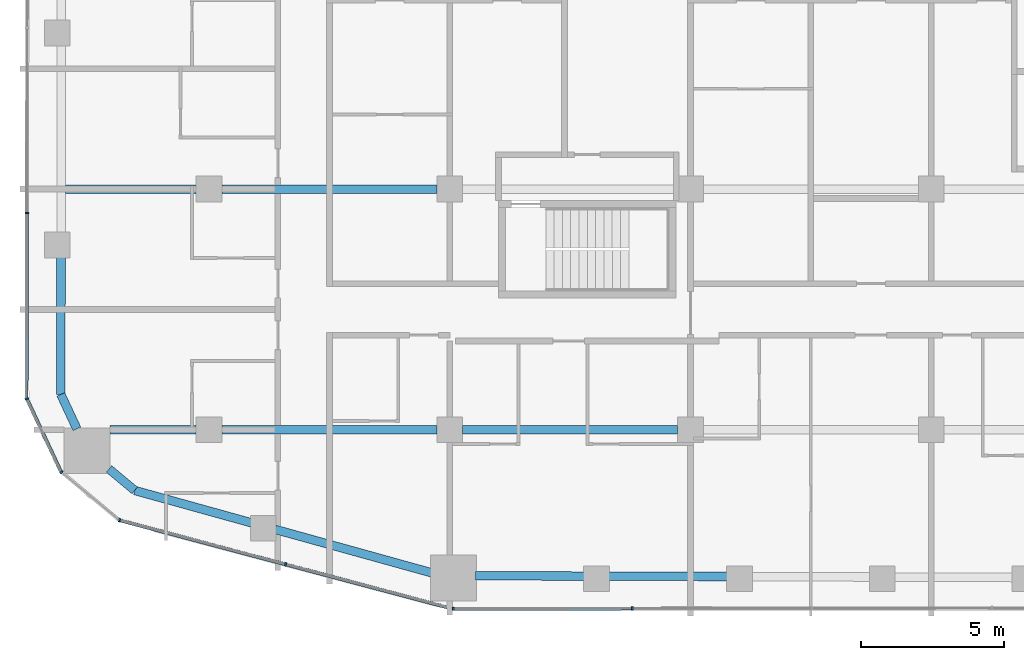
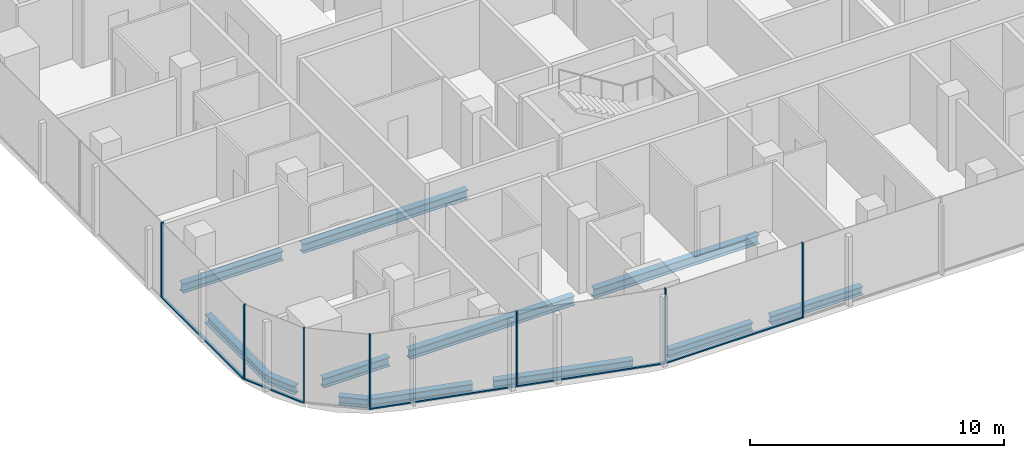
# One storey, part 2 of 23: 12 beams, 12 members, 5 elements without a shape of their own.
"""IFC4 building model written with IfcOpenShell, lengths in metres."""

from ifc_helpers import new_model, si_unit, direction, frame, origin, origin_2d, place, context, subcontext, project, spatial, rectangle, i_section, extrude, material, layer, layer_set, material_profile, profile_set, type_object, element, aggregate, save


model = new_model("IFC4")

# Units and contexts
model_context = context("Model", 3, precision=1e-05, world=origin(), true_north=direction((0.0, 1.0)))
body_context = subcontext(model_context, "Body", "Model", "MODEL_VIEW")
ifc_project = project(units=[si_unit("LENGTHUNIT", "METRE"), si_unit("AREAUNIT", "SQUARE_METRE"), si_unit("VOLUMEUNIT", "CUBIC_METRE"), si_unit("PLANEANGLEUNIT", "RADIAN"), si_unit("MASSUNIT", "GRAM", prefix="KILO")], contexts=[model_context])

# Site, building, storey
site_placement = place(None, origin())
site = spatial("IfcSite", under=ifc_project, at=site_placement, CompositionType="ELEMENT")
building_placement = place(site_placement, origin())
building = spatial("IfcBuilding", under=site, at=building_placement, Name="Marenta Gate Hotel Tower", CompositionType="ELEMENT")
storey_placement = place(building_placement, frame((0.0, 0.0, 148.10009765625)))
storey = spatial("IfcBuildingStorey", under=building, at=storey_placement, Name="L34", CompositionType="ELEMENT", Elevation=148.10009765625)

# Beams
ifc_material_1 = material(Name="Steel S355", Category="steel")
ifc_material_profile_1 = material_profile(ifc_material_1, i_section(OverallWidth=0.300048828125, OverallDepth=0.39990234375, WebThickness=0.013427734375, FlangeThickness=0.02392578125, FilletRadius=0.027099609375, at=origin_2d()), Name="HEB 400")
ifc_profile_set_1 = profile_set([ifc_material_profile_1], Name="Steel S355")
beam_type_1 = type_object("IfcBeamType", Name="Edge beam HEB 400", PredefinedType="SPANDREL", material=ifc_profile_set_1)
beam_1_placement = place(storey_placement, frame((-13.227783203125, -21.794677734375, -0.460205078125), z_axis=(-0.963615860477, 0.267290990189, 0.0), x_axis=(-0.267290990189, -0.963615860477, 0.0)))
element("IfcBeam", 1, at=beam_1_placement, inside=storey, type_object=beam_type_1, Name="L34-EB-1", PredefinedType="SPANDREL", context=body_context, shape_type="SweptSolid", body=[
    extrude(i_section(OverallWidth=0.300048828125, OverallDepth=0.39990234375, WebThickness=0.013427734375, FlangeThickness=0.02392578125, FilletRadius=0.027099609375, at=origin_2d()), origin(), (0.0, 0.0, 1.0), 5.674072265625),
])
beam_2_placement = place(storey_placement, frame((-19.518310546875, -20.0498046875, -0.460205078125), z_axis=(-0.963630213062, 0.267239242016, 0.0), x_axis=(-0.267239242016, -0.963630213062, 0.0)))
element("IfcBeam", 2, at=beam_2_placement, inside=storey, type_object=beam_type_1, Name="L34-EB-2", PredefinedType="SPANDREL", context=body_context, shape_type="SweptSolid", body=[
    extrude(i_section(OverallWidth=0.300048828125, OverallDepth=0.39990234375, WebThickness=0.013427734375, FlangeThickness=0.02392578125, FilletRadius=0.027099609375, at=origin_2d()), origin(), (0.0, 0.0, 1.0), 4.232666015625),
])
beam_3_placement = place(storey_placement, frame((-23.596923828125, -18.918701171875, -0.460205078125), z_axis=(-0.767073132856, 0.641559668972, 0.0), x_axis=(-0.641559668972, -0.767073132856, 0.0)))
element("IfcBeam", 3, at=beam_3_placement, inside=storey, type_object=beam_type_1, Name="L34-EB-3", PredefinedType="SPANDREL", context=body_context, shape_type="SweptSolid", body=[
    extrude(i_section(OverallWidth=0.300048828125, OverallDepth=0.39990234375, WebThickness=0.013427734375, FlangeThickness=0.02392578125, FilletRadius=0.027099609375, at=origin_2d()), origin(), (0.0, 0.0, 1.0), 1.1689453125),
])
beam_4_placement = place(storey_placement, frame((-25.613525390625, -16.769287109375, -0.460205078125), z_axis=(-0.423207780269, 0.906032656541, 0.0), x_axis=(-0.906032656541, -0.423207780269, 0.0)))
element("IfcBeam", 4, at=beam_4_placement, inside=storey, type_object=beam_type_1, Name="L34-EB-4", PredefinedType="SPANDREL", context=body_context, shape_type="SweptSolid", body=[
    extrude(i_section(OverallWidth=0.300048828125, OverallDepth=0.39990234375, WebThickness=0.013427734375, FlangeThickness=0.02392578125, FilletRadius=0.027099609375, at=origin_2d()), origin(), (0.0, 0.0, 1.0), 1.326904296875),
])
beam_5_placement = place(storey_placement, frame((-26.175048828125, -15.567138671875, -0.460205078125), z_axis=(0.001371810517, 0.999999059068, 0.0), x_axis=(-0.999999059068, 0.001371810517, 0.0)))
element("IfcBeam", 5, at=beam_5_placement, inside=storey, type_object=beam_type_1, Name="L34-EB-5", PredefinedType="SPANDREL", context=body_context, shape_type="SweptSolid", body=[
    extrude(i_section(OverallWidth=0.300048828125, OverallDepth=0.39990234375, WebThickness=0.013427734375, FlangeThickness=0.02392578125, FilletRadius=0.027099609375, at=origin_2d()), origin(), (0.0, 0.0, 1.0), 4.80517578125),
])
beam_6_placement = place(storey_placement, frame((-2.9033203125, -21.92333984375, -0.460205078125), z_axis=(-0.999994807487, 0.003222576575, 0.0), x_axis=(-0.003222576575, -0.999994807487, 0.0)))
element("IfcBeam", 6, at=beam_6_placement, inside=storey, type_object=beam_type_1, Name="L34-EB-35", PredefinedType="SPANDREL", context=body_context, shape_type="SweptSolid", body=[
    extrude(i_section(OverallWidth=0.300048828125, OverallDepth=0.39990234375, WebThickness=0.013427734375, FlangeThickness=0.02392578125, FilletRadius=0.027099609375, at=origin_2d()), origin(), (0.0, 0.0, 1.0), 4.166748046875),
])
beam_7_placement = place(storey_placement, frame((-7.89013671875, -21.907470703125, -0.460205078125), z_axis=(-0.999994677283, 0.003262729738, 0.0), x_axis=(-0.003262729738, -0.999994677283, 0.0)))
element("IfcBeam", 7, at=beam_7_placement, inside=storey, type_object=beam_type_1, Name="L34-EB-36", PredefinedType="SPANDREL", context=body_context, shape_type="SweptSolid", body=[
    extrude(i_section(OverallWidth=0.300048828125, OverallDepth=0.39990234375, WebThickness=0.013427734375, FlangeThickness=0.02392578125, FilletRadius=0.027099609375, at=origin_2d()), origin(), (0.0, 0.0, 1.0), 3.816162109375),
])
ifc_material_2 = material(Name="Steel S355", Category="steel")
ifc_material_profile_2 = material_profile(ifc_material_2, i_section(OverallWidth=0.300048828125, OverallDepth=0.449951171875, WebThickness=0.013916015625, FlangeThickness=0.02587890625, FilletRadius=0.027099609375, at=origin_2d()), Name="HEB 450")
ifc_profile_set_2 = profile_set([ifc_material_profile_2], Name="Steel S355")
beam_type_2 = type_object("IfcBeamType", Name="Girder HEB 450", PredefinedType="BEAM", material=ifc_profile_set_2)
beam_8_placement = place(storey_placement, frame((-24.462890625, -16.800048828125, -0.485107421875), z_axis=(1.0, 0.0, 0.0), x_axis=(0.0, 1.0, 0.0)))
element("IfcBeam", 8, at=beam_8_placement, inside=storey, type_object=beam_type_2, Name="L34-GD-1", PredefinedType="BEAM", context=body_context, shape_type="SweptSolid", body=[
    extrude(i_section(OverallWidth=0.300048828125, OverallDepth=0.449951171875, WebThickness=0.013916015625, FlangeThickness=0.02587890625, FilletRadius=0.027099609375, at=origin_2d()), origin(), (0.0, 0.0, 1.0), 3.012939453125),
])
for number, where, z_axis, x_axis, name in (
    (9, (-20.550048828125, -16.800048828125, -0.485107421875), (1.0, 0.0, 0.0), (0.0, 1.0, 0.0), "L34-GD-2"),
    (10, (-12.14990234375, -16.800048828125, -0.485107421875), (1.0, 0.0, 0.0), (0.0, 1.0, 0.0), "L34-GD-3"),
):
    element("IfcBeam", number, at=place(storey_placement, frame(where, z_axis=z_axis, x_axis=x_axis)), inside=storey, type_object=beam_type_2, Name=name, PredefinedType="BEAM", context=body_context, shape_type="SweptSolid", body=[
        extrude(i_section(OverallWidth=0.300048828125, OverallDepth=0.449951171875, WebThickness=0.013916015625, FlangeThickness=0.02587890625, FilletRadius=0.027099609375, at=origin_2d()), origin(), (0.0, 0.0, 1.0), 7.5),
    ])
beam_9_placement = place(storey_placement, frame((-26.01513671875, -8.39990234375, -0.485107421875), z_axis=(1.0, 0.0, 0.0), x_axis=(0.0, 1.0, 0.0)))
element("IfcBeam", 11, at=beam_9_placement, inside=storey, type_object=beam_type_2, Name="L34-GD-8", PredefinedType="BEAM", context=body_context, shape_type="SweptSolid", body=[
    extrude(i_section(OverallWidth=0.300048828125, OverallDepth=0.449951171875, WebThickness=0.013916015625, FlangeThickness=0.02587890625, FilletRadius=0.027099609375, at=origin_2d()), origin(), (0.0, 0.0, 1.0), 4.565185546875),
])
beam_10_placement = place(storey_placement, frame((-20.550048828125, -8.39990234375, -0.485107421875), z_axis=(1.0, 0.0, 0.0), x_axis=(0.0, 1.0, 0.0)))
element("IfcBeam", 12, at=beam_10_placement, inside=storey, type_object=beam_type_2, Name="L34-GD-9", PredefinedType="BEAM", context=body_context, shape_type="SweptSolid", body=[
    extrude(i_section(OverallWidth=0.300048828125, OverallDepth=0.449951171875, WebThickness=0.013916015625, FlangeThickness=0.02587890625, FilletRadius=0.027099609375, at=origin_2d()), origin(), (0.0, 0.0, 1.0), 7.5),
])

# Curtain wall, member
ifc_material_3 = material(Name="Tinted insulated glass in bronze anodised frame", Category="glass")
ifc_layer = layer(ifc_material_3, 0.1201171875)
ifc_layer_set = layer_set([ifc_layer], Name="Tinted insulated glass in bronze anodised frame")
curtain_wall_type = type_object("IfcCurtainWallType", Name="Tower unitised curtain wall CW1", PredefinedType="NOTDEFINED", material=ifc_layer_set)
curtain_wall_1_placement = place(storey_placement, origin())
curtain_wall_1 = element("IfcCurtainWall", 13, at=curtain_wall_1_placement, inside=storey, type_object=curtain_wall_type, Name="CW1 run G03", PredefinedType="NOTDEFINED")
ifc_material_4 = material(Name="Bronze anodised aluminium", Category="aluminium")
ifc_material_profile_3 = material_profile(ifc_material_4, rectangle(XDim=0.1201171875, YDim=0.06005859375, at=origin_2d()), Name="Mullion CW1 60x120 bronze anodised aluminium")
ifc_profile_set_3 = profile_set([ifc_material_profile_3], Name="Bronze anodised aluminium")
member_type_1 = type_object("IfcMemberType", Name="Mullion CW1 60x120 bronze anodised aluminium", PredefinedType="MULLION", material=ifc_profile_set_3)
member_1_placement = place(storey_placement, frame((-27.36279296875, -9.23388671875, 0.0), z_axis=(0.0, 0.0, 1.0), x_axis=(0.99999877375, -0.001566045546, 0.0)))
member_1 = element("IfcMember", 14, at=member_1_placement, type_object=member_type_1, Name="CW1 mullion 6", PredefinedType="MULLION", context=body_context, shape_type="SweptSolid", body=[
    extrude(rectangle(XDim=0.1201171875, YDim=0.06005859375, at=origin_2d()), origin(), (0.0, 0.0, 1.0), 3.599853515625),
])

curtain_wall_2_placement = place(storey_placement, origin())
curtain_wall_2 = element("IfcCurtainWall", 15, at=curtain_wall_2_placement, inside=storey, type_object=curtain_wall_type, Name="CW1 run G04", PredefinedType="NOTDEFINED")
member_2_placement = place(storey_placement, frame((-27.3603515625, -15.720947265625, 0.0), z_axis=(0.0, 0.0, 1.0), x_axis=(0.905971778319, 0.423338088163, 0.0)))
member_2 = element("IfcMember", 16, at=member_2_placement, type_object=member_type_1, Name="CW1 mullion 1", PredefinedType="MULLION", context=body_context, shape_type="SweptSolid", body=[
    extrude(rectangle(XDim=0.1201171875, YDim=0.06005859375, at=origin_2d()), origin(), (0.0, 0.0, 1.0), 3.599853515625),
])

curtain_wall_3_placement = place(storey_placement, origin())
curtain_wall_3 = element("IfcCurtainWall", 17, at=curtain_wall_3_placement, inside=storey, type_object=curtain_wall_type, Name="CW1 run G05", PredefinedType="NOTDEFINED")
member_3_placement = place(storey_placement, frame((-26.152099609375, -18.27685546875, 0.0), z_axis=(0.0, 0.0, 1.0), x_axis=(0.641512168126, 0.767112858807, 0.0)))
member_3 = element("IfcMember", 18, at=member_3_placement, type_object=member_type_1, Name="CW1 mullion 1", PredefinedType="MULLION", context=body_context, shape_type="SweptSolid", body=[
    extrude(rectangle(XDim=0.1201171875, YDim=0.06005859375, at=origin_2d()), origin(), (0.0, 0.0, 1.0), 3.599853515625),
])
aggregate(curtain_wall_3, [member_3])

# Curtain wall, members
curtain_wall_4_placement = place(storey_placement, origin())
curtain_wall_4 = element("IfcCurtainWall", 19, at=curtain_wall_4_placement, inside=storey, type_object=curtain_wall_type, Name="CW1 run G06", PredefinedType="NOTDEFINED")
member_4_placement = place(storey_placement, frame((-24.12451171875, -19.955810546875, 0.0), z_axis=(0.0, 0.0, 1.0), x_axis=(0.257143631229, 0.966373195468, 0.0)))
member_4 = element("IfcMember", 20, at=member_4_placement, type_object=member_type_1, Name="CW1 mullion 1", PredefinedType="MULLION", context=body_context, shape_type="SweptSolid", body=[
    extrude(rectangle(XDim=0.1201171875, YDim=0.06005859375, at=origin_2d()), origin(), (0.0, 0.0, 1.0), 3.599853515625),
])
member_5_placement = place(storey_placement, frame((-18.32958984375, -21.497802734375, 0.0), z_axis=(0.0, 0.0, 1.0), x_axis=(0.257143631229, 0.966373195468, 0.0)))
member_5 = element("IfcMember", 21, at=member_5_placement, type_object=member_type_1, Name="CW1 mullion 2", PredefinedType="MULLION", context=body_context, shape_type="SweptSolid", body=[
    extrude(rectangle(XDim=0.1201171875, YDim=0.06005859375, at=origin_2d()), origin(), (0.0, 0.0, 1.0), 3.599853515625),
])

curtain_wall_5_placement = place(storey_placement, origin())
curtain_wall_5 = element("IfcCurtainWall", 22, at=curtain_wall_5_placement, inside=storey, type_object=curtain_wall_type, Name="CW1 run G07", PredefinedType="NOTDEFINED")
member_6_placement = place(storey_placement, frame((-12.475830078125, -23.04736328125, 0.0), z_axis=(0.0, 0.0, 1.0), x_axis=(-0.001362347707, 0.999999072004, 0.0)))
member_6 = element("IfcMember", 23, at=member_6_placement, type_object=member_type_1, Name="CW1 mullion 1", PredefinedType="MULLION", context=body_context, shape_type="SweptSolid", body=[
    extrude(rectangle(XDim=0.1201171875, YDim=0.06005859375, at=origin_2d()), origin(), (0.0, 0.0, 1.0), 3.599853515625),
])
member_7_placement = place(storey_placement, frame((-6.22998046875, -23.0390625, 0.0), z_axis=(0.0, 0.0, 1.0), x_axis=(-0.001362347707, 0.999999072004, 0.0)))
member_7 = element("IfcMember", 24, at=member_7_placement, type_object=member_type_1, Name="CW1 mullion 2", PredefinedType="MULLION", context=body_context, shape_type="SweptSolid", body=[
    extrude(rectangle(XDim=0.1201171875, YDim=0.06005859375, at=origin_2d()), origin(), (0.0, 0.0, 1.0), 3.599853515625),
])

# Member
ifc_material_5 = material(Name="Bronze anodised aluminium", Category="aluminium")
ifc_material_profile_4 = material_profile(ifc_material_5, rectangle(XDim=0.1201171875, YDim=0.06005859375, at=origin_2d()), Name="Transom CW1 60x120 bronze anodised aluminium")
ifc_profile_set_4 = profile_set([ifc_material_profile_4], Name="Bronze anodised aluminium")
member_type_2 = type_object("IfcMemberType", Name="Transom CW1 60x120 bronze anodised aluminium", PredefinedType="USERDEFINED", material=ifc_profile_set_4)
member_8_placement = place(storey_placement, frame((-27.363037109375, -9.263916015625, 0.02978515625), z_axis=(-0.001556743377, -0.999998788274, 0.0), x_axis=(0.999998788274, -0.001556743377, 0.0)))
member_8 = element("IfcMember", 25, at=member_8_placement, type_object=member_type_2, Name="CW1 transom 6.1", ObjectType="TRANSOM", PredefinedType="USERDEFINED", context=body_context, shape_type="SweptSolid", body=[
    extrude(rectangle(XDim=0.1201171875, YDim=0.06005859375, at=origin_2d()), origin(), (0.0, 0.0, 1.0), 6.429931640625),
])

aggregate(curtain_wall_1, [member_1, member_8])

member_9_placement = place(storey_placement, frame((-27.34765625, -15.748046875, 0.02978515625), z_axis=(0.423329323939, -0.905975873572, 0.0), x_axis=(0.905975873572, 0.423329323939, 0.0)))
member_9 = element("IfcMember", 26, at=member_9_placement, type_object=member_type_2, Name="CW1 transom 1.1", ObjectType="TRANSOM", PredefinedType="USERDEFINED", context=body_context, shape_type="SweptSolid", body=[
    extrude(rectangle(XDim=0.1201171875, YDim=0.06005859375, at=origin_2d()), origin(), (0.0, 0.0, 1.0), 2.77001953125),
])

aggregate(curtain_wall_2, [member_2, member_9])

member_10_placement = place(storey_placement, frame((-24.095458984375, -19.963623046875, 0.02978515625), z_axis=(0.966369276777, -0.257158357634, 0.0), x_axis=(0.257158357634, 0.966369276777, 0.0)))
member_10 = element("IfcMember", 27, at=member_10_placement, type_object=member_type_2, Name="CW1 transom 1.1", ObjectType="TRANSOM", PredefinedType="USERDEFINED", context=body_context, shape_type="SweptSolid", body=[
    extrude(rectangle(XDim=0.1201171875, YDim=0.06005859375, at=origin_2d()), origin(), (0.0, 0.0, 1.0), 5.9365234375),
])

member_11_placement = place(storey_placement, frame((-18.300537109375, -21.505615234375, 0.02978515625), z_axis=(0.966369960125, -0.257155789684, 0.0), x_axis=(0.257155789684, 0.966369960125, 0.0)))
member_11 = element("IfcMember", 28, at=member_11_placement, type_object=member_type_2, Name="CW1 transom 2.1", ObjectType="TRANSOM", PredefinedType="USERDEFINED", context=body_context, shape_type="SweptSolid", body=[
    extrude(rectangle(XDim=0.1201171875, YDim=0.06005859375, at=origin_2d()), origin(), (0.0, 0.0, 1.0), 5.996337890625),
])

aggregate(curtain_wall_4, [member_4, member_5, member_10, member_11])

member_12_placement = place(storey_placement, frame((-12.44580078125, -23.04736328125, 0.02978515625), z_axis=(0.999999099639, 0.001341909831, 0.0), x_axis=(-0.001341909831, 0.999999099639, 0.0)))
member_12 = element("IfcMember", 29, at=member_12_placement, type_object=member_type_2, Name="CW1 transom 1.1", ObjectType="TRANSOM", PredefinedType="USERDEFINED", context=body_context, shape_type="SweptSolid", body=[
    extrude(rectangle(XDim=0.1201171875, YDim=0.06005859375, at=origin_2d()), origin(), (0.0, 0.0, 1.0), 6.185791015625),
])

aggregate(curtain_wall_5, [member_6, member_7, member_12])

save(model, "model.ifc")
